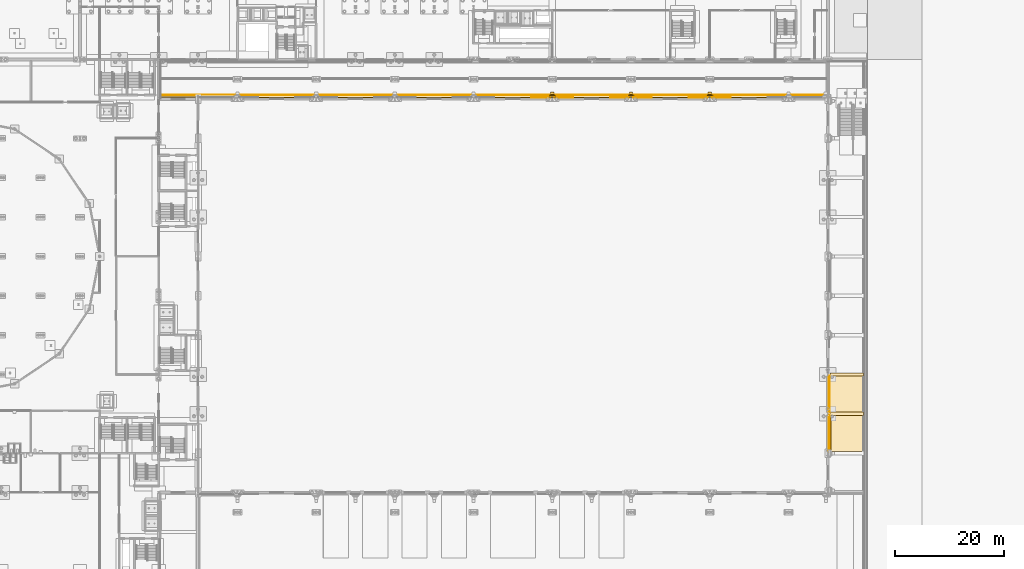
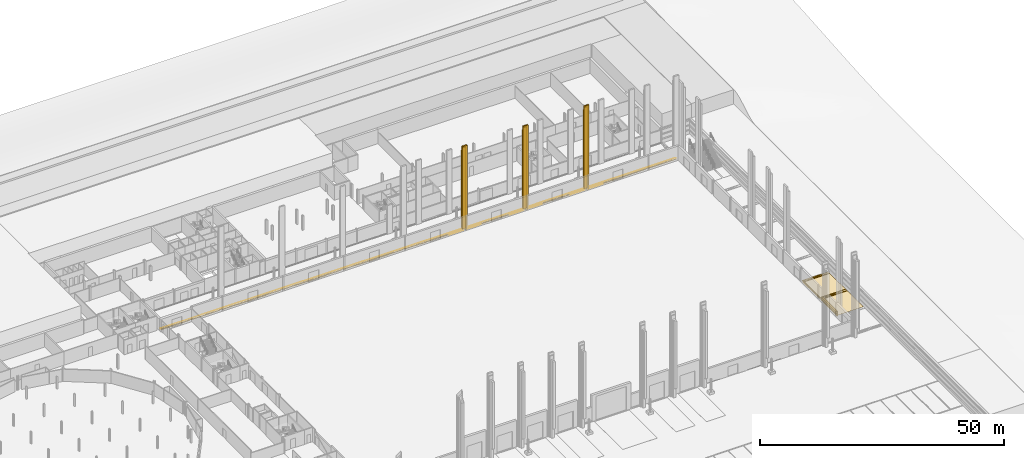
# One storey, part 135 of 148: 24 coverings.
"""IFC4 building model written with IfcOpenShell, lengths in metres."""

from ifc_helpers import new_model, si_unit, direction, frame, origin, origin_2d, place, context, subcontext, project, spatial, polyline, rectangle, outline, extrude, material, layer, layer_set, type_object, element, save


model = new_model("IFC4")

# Units and contexts
model_context = context("Model", 3, precision=1e-05, world=origin(), true_north=direction((0.0, 1.0)))
body_context = subcontext(model_context, "Body", "Model", "MODEL_VIEW")
ifc_project = project(units=[si_unit("LENGTHUNIT", "METRE"), si_unit("AREAUNIT", "SQUARE_METRE"), si_unit("VOLUMEUNIT", "CUBIC_METRE"), si_unit("PLANEANGLEUNIT", "RADIAN"), si_unit("MASSUNIT", "GRAM", prefix="KILO")], contexts=[model_context])

# Site, building, storey
site_placement = place(None, origin())
site = spatial("IfcSite", under=ifc_project, at=site_placement, CompositionType="ELEMENT")
building_placement = place(site_placement, origin())
building = spatial("IfcBuilding", under=site, at=building_placement, Name="Kupolbacken Congress Centre", CompositionType="ELEMENT")
storey_placement = place(building_placement, origin())
storey = spatial("IfcBuildingStorey", under=building, at=storey_placement, Name="L00", CompositionType="ELEMENT", Elevation=0.0)

# Coverings
ifc_material_1 = material(Name="Brick cladding", Category="masonry")
ifc_layer_1 = layer(ifc_material_1, 0.10791015625)
ifc_layer_set_1 = layer_set([ifc_layer_1], Name="Brick cladding")
covering_type_1 = type_object("IfcCoveringType", Name="CV2 brick cladding band 108", PredefinedType="CLADDING", material=ifc_layer_set_1)
covering_1_placement = place(storey_placement, frame((201.864013671875, 53.949951171875, 0.0), z_axis=(0.0, 0.0, 1.0), x_axis=(0.0, 1.0, 0.0)))
element("IfcCovering", 1, at=covering_1_placement, inside=storey, type_object=covering_type_1, Name="E/H/E/L00/050/band", PredefinedType="CLADDING", context=body_context, shape_type="SweptSolid", body=[
    extrude(rectangle(XDim=6.81005859375, YDim=0.10791015625, at=origin_2d()), origin(), (0.0, 0.0, 1.0), 0.300048828125),
])
covering_2_placement = place(storey_placement, frame((201.864013671875, 61.199951171875, 0.0), z_axis=(0.0, 0.0, 1.0), x_axis=(0.0, 1.0, 0.0)))
element("IfcCovering", 2, at=covering_2_placement, inside=storey, type_object=covering_type_1, Name="E/H/E/L00/051/band", PredefinedType="CLADDING", context=body_context, shape_type="SweptSolid", body=[
    extrude(rectangle(XDim=6.7099609375, YDim=0.10791015625, at=origin_2d()), origin(), (0.0, 0.0, 1.0), 0.300048828125),
])
ifc_material_2 = material(Name="Limestone cladding", Category="masonry")
ifc_layer_2 = layer(ifc_material_2, 0.35009765625)
ifc_layer_set_2 = layer_set([ifc_layer_2], Name="Limestone cladding")
covering_type_2 = type_object("IfcCoveringType", Name="CV3 limestone pilaster strip 350", PredefinedType="CLADDING", material=ifc_layer_set_2)
for number, where, z_axis, x_axis, name in (
    (3, (151.199951171875, 115.590087890625, 0.0), (0.0, 0.0, 1.0), (1.0, 0.0, 0.0), "F/H/N/pil/09/0"),
    (4, (165.60009765625, 115.590087890625, 0.0), (0.0, 0.0, 1.0), (1.0, 0.0, 0.0), "F/H/N/pil/11/0"),
    (5, (180.0, 115.590087890625, 0.0), (0.0, 0.0, 1.0), (1.0, 0.0, 0.0), "F/H/N/pil/13/0"),
):
    element("IfcCovering", number, at=place(storey_placement, frame(where, z_axis=z_axis, x_axis=x_axis)), inside=storey, type_object=covering_type_2, Name=name, PredefinedType="CLADDING", context=body_context, shape_type="SweptSolid", body=[
        extrude(rectangle(XDim=1.199951171875, YDim=0.340087890625, at=origin_2d()), origin(), (0.0, 0.0, 1.0), 20.93505859375),
    ])
covering_3_placement = place(storey_placement, frame((201.985107421875, 54.0, 0.0), z_axis=(0.0, 0.0, 1.0), x_axis=(0.0, 1.0, 0.0)))
element("IfcCovering", 6, at=covering_3_placement, inside=storey, type_object=covering_type_2, Name="F/HR/H/E/plinth/01", PredefinedType="CLADDING", context=body_context, shape_type="SweptSolid", body=[
    extrude(rectangle(XDim=6.0, YDim=0.35009765625, at=origin_2d()), origin(), (0.0, 0.0, 1.0), 0.800048828125),
])
ifc_material_3 = material(Name="Limestone cladding", Category="masonry")
ifc_layer_3 = layer(ifc_material_3, 0.5)
ifc_layer_set_3 = layer_set([ifc_layer_3], Name="Limestone cladding")
covering_type_3 = type_object("IfcCoveringType", Name="CV8 limestone drum pier 500", PredefinedType="CLADDING", material=ifc_layer_set_3)
for number, where, z_axis, x_axis, name in (
    (7, (151.199951171875, 116.2099609375, 0.0), (0.0, 0.0, 1.0), (1.0, 0.0, 0.0), "F/HR/H/N/butt/09-0/0"),
    (8, (165.60009765625, 116.2099609375, 0.0), (0.0, 0.0, 1.0), (1.0, 0.0, 0.0), "F/HR/H/N/butt/11-0/0"),
    (9, (180.0, 116.2099609375, 0.0), (0.0, 0.0, 1.0), (1.0, 0.0, 0.0), "F/HR/H/N/butt/13-0/0"),
):
    element("IfcCovering", number, at=place(storey_placement, frame(where, z_axis=z_axis, x_axis=x_axis)), inside=storey, type_object=covering_type_3, Name=name, PredefinedType="CLADDING", context=body_context, shape_type="SweptSolid", body=[
        extrude(rectangle(XDim=0.60009765625, YDim=0.5, at=origin_2d()), origin(), (0.0, 0.0, 1.0), 19.385009765625),
    ])
ifc_material_4 = material(Name="Limestone cladding", Category="masonry")
ifc_layer_4 = layer(ifc_material_4, 0.199951171875)
ifc_layer_set_4 = layer_set([ifc_layer_4], Name="Limestone cladding")
covering_type_4 = type_object("IfcCoveringType", Name="CV9 limestone drum arch frame 200", PredefinedType="CLADDING", material=ifc_layer_set_4)
for number, where, z_axis, x_axis, name in (
    (10, (151.199951171875, 115.860107421875, 0.0), (0.0, 0.0, 1.0), (1.0, 0.0, 0.0), "F/HR/H/N/rib/09-0/0"),
    (11, (165.60009765625, 115.860107421875, 0.0), (0.0, 0.0, 1.0), (1.0, 0.0, 0.0), "F/HR/H/N/rib/11-0/0"),
    (12, (180.0, 115.860107421875, 0.0), (0.0, 0.0, 1.0), (1.0, 0.0, 0.0), "F/HR/H/N/rib/13-0/0"),
):
    element("IfcCovering", number, at=place(storey_placement, frame(where, z_axis=z_axis, x_axis=x_axis)), inside=storey, type_object=covering_type_4, Name=name, PredefinedType="CLADDING", context=body_context, shape_type="SweptSolid", body=[
        extrude(rectangle(XDim=0.89990234375, YDim=0.199951171875, at=origin_2d()), origin(), (0.0, 0.0, 1.0), 20.3349609375),
    ])
ifc_material_5 = material(Name="Limestone cladding", Category="masonry")
ifc_layer_5 = layer(ifc_material_5, 0.02001953125)
ifc_layer_set_5 = layer_set([ifc_layer_5], Name="Limestone cladding")
covering_type_5 = type_object("IfcCoveringType", Name="GF1 limestone paving 20", PredefinedType="FLOORING", material=ifc_layer_set_5)
covering_4_placement = place(storey_placement, origin())
element("IfcCovering", 13, at=covering_4_placement, inside=storey, type_object=covering_type_5, Name="Bay and lane marking", PredefinedType="FLOORING", context=body_context, shape_type="SweptSolid", body=[
    extrude(outline(polyline([(79.5419921875, 115.989990234375), (201.299560546875, 115.989990234375), (201.299560546875, 115.840087890625), (79.5419921875, 115.840087890625), (79.5419921875, 115.989990234375)])), origin(), (0.0, 0.0, 1.0), 0.02001953125),
])
covering_5_placement = place(storey_placement, origin())
element("IfcCovering", 14, at=covering_5_placement, inside=storey, type_object=covering_type_5, Name="East paving band", PredefinedType="FLOORING", context=body_context, shape_type="SweptSolid", body=[
    extrude(outline(polyline([(201.974365234375, 57.300048828125), (201.9990234375, 57.333251953125), (202.0234375, 57.373779296875), (202.04345703125, 57.416259765625), (202.059326171875, 57.460693359375), (202.07080078125, 57.50634765625), (202.07763671875, 57.552978515625), (202.080078125, 57.60009765625), (202.07763671875, 57.647216796875), (202.07080078125, 57.693603515625), (202.059326171875, 57.7392578125), (202.04345703125, 57.78369140625), (202.0234375, 57.826416015625), (201.9990234375, 57.86669921875), (201.974365234375, 57.89990234375), (208.110107421875, 57.89990234375), (208.110107421875, 57.300048828125), (201.974365234375, 57.300048828125)])), origin(), (0.0, 0.0, 1.0), 0.02001953125),
])
covering_6_placement = place(storey_placement, origin())
element("IfcCovering", 15, at=covering_6_placement, inside=storey, type_object=covering_type_5, Name="East paving band", PredefinedType="FLOORING", context=body_context, shape_type="SweptSolid", body=[
    extrude(outline(polyline([(201.974365234375, 64.5), (201.9990234375, 64.533203125), (202.0234375, 64.57373046875), (202.04345703125, 64.6162109375), (202.059326171875, 64.66064453125), (202.07080078125, 64.706298828125), (202.07763671875, 64.7529296875), (202.080078125, 64.800048828125), (202.07763671875, 64.84716796875), (202.07080078125, 64.893798828125), (202.059326171875, 64.939208984375), (202.04345703125, 64.983642578125), (202.0234375, 65.0263671875), (201.9990234375, 65.066650390625), (201.974365234375, 65.10009765625), (208.110107421875, 65.10009765625), (208.110107421875, 64.5), (201.974365234375, 64.5)])), origin(), (0.0, 0.0, 1.0), 0.02001953125),
])
ifc_material_6 = material(Name="Brick", Category="masonry")
ifc_layer_6 = layer(ifc_material_6, 0.02001953125)
ifc_layer_set_6 = layer_set([ifc_layer_6], Name="Brick")
covering_type_6 = type_object("IfcCoveringType", Name="GF2 brick paving 20", PredefinedType="FLOORING", material=ifc_layer_set_6)
covering_7_placement = place(storey_placement, origin())
element("IfcCovering", 16, at=covering_7_placement, inside=storey, type_object=covering_type_6, Name="East strip brick paving", PredefinedType="FLOORING", context=body_context, shape_type="SweptSolid", body=[
    extrude(outline(polyline([(208.110107421875, 57.89990234375), (201.974365234375, 57.89990234375), (201.97119140625, 57.904541015625), (201.939453125, 57.939453125), (201.919921875, 57.95703125), (201.919921875, 64.44287109375), (201.939453125, 64.460693359375), (201.97119140625, 64.49560546875), (201.974365234375, 64.5), (208.110107421875, 64.5), (208.110107421875, 57.89990234375)])), origin(), (0.0, 0.0, 1.0), 0.02001953125),
])
covering_8_placement = place(storey_placement, origin())
element("IfcCovering", 17, at=covering_8_placement, inside=storey, type_object=covering_type_6, Name="East strip brick paving", PredefinedType="FLOORING", context=body_context, shape_type="SweptSolid", body=[
    extrude(outline(polyline([(208.110107421875, 50.699951171875), (201.974365234375, 50.699951171875), (201.97119140625, 50.70458984375), (201.939453125, 50.739501953125), (201.919921875, 50.757080078125), (201.919921875, 57.242919921875), (201.939453125, 57.260498046875), (201.97119140625, 57.29541015625), (201.974365234375, 57.300048828125), (208.110107421875, 57.300048828125), (208.110107421875, 50.699951171875)])), origin(), (0.0, 0.0, 1.0), 0.02001953125),
])
ifc_material_7 = material(Name="Asphalt", Category="masonry")
ifc_layer_7 = layer(ifc_material_7, 0.02001953125)
ifc_layer_set_7 = layer_set([ifc_layer_7], Name="Asphalt")
covering_type_7 = type_object("IfcCoveringType", Name="GF3 asphalt dock hardstanding 20", PredefinedType="FLOORING", material=ifc_layer_set_7)
covering_9_placement = place(storey_placement, origin())
element("IfcCovering", 18, at=covering_9_placement, inside=storey, type_object=covering_type_7, Name="Service lane asphalt", PredefinedType="FLOORING", context=body_context, shape_type="SweptSolid", body=[
    extrude(outline(polyline([(201.299560546875, 115.57421875), (201.333251953125, 115.59912109375), (201.29541015625, 115.571044921875), (201.260498046875, 115.539306640625), (201.242919921875, 115.52001953125), (194.757080078125, 115.52001953125), (194.739501953125, 115.539306640625), (194.70458984375, 115.571044921875), (194.666748046875, 115.59912109375), (194.626220703125, 115.623291015625), (194.583740234375, 115.6435546875), (194.539306640625, 115.659423828125), (194.49365234375, 115.6708984375), (194.447021484375, 115.677734375), (194.39990234375, 115.679931640625), (194.352783203125, 115.677734375), (194.306396484375, 115.6708984375), (194.2607421875, 115.659423828125), (194.21630859375, 115.6435546875), (194.173583984375, 115.623291015625), (194.13330078125, 115.59912109375), (194.095458984375, 115.571044921875), (194.060546875, 115.539306640625), (194.02587890625, 115.50048828125), (190.585205078125, 115.50048828125), (190.588134765625, 115.43994140625), (183.811767578125, 115.43994140625), (183.814697265625, 115.50048828125), (180.3740234375, 115.50048828125), (180.33935546875, 115.539306640625), (180.304443359375, 115.571044921875), (180.2666015625, 115.59912109375), (180.226318359375, 115.623291015625), (180.18359375, 115.6435546875), (180.139404296875, 115.659423828125), (180.09375, 115.6708984375), (180.047119140625, 115.677734375), (180.0, 115.679931640625), (179.952880859375, 115.677734375), (179.90625, 115.6708984375), (179.860595703125, 115.659423828125), (179.81640625, 115.6435546875), (179.773681640625, 115.623291015625), (179.7333984375, 115.59912109375), (179.695556640625, 115.571044921875), (179.66064453125, 115.539306640625), (179.6259765625, 115.50048828125), (176.185302734375, 115.50048828125), (176.188232421875, 115.43994140625), (169.411865234375, 115.43994140625), (169.414794921875, 115.50048828125), (165.97412109375, 115.50048828125), (165.939453125, 115.539306640625), (165.904541015625, 115.571044921875), (165.86669921875, 115.59912109375), (165.826416015625, 115.623291015625), (165.78369140625, 115.6435546875), (165.7392578125, 115.659423828125), (165.693603515625, 115.6708984375), (165.647216796875, 115.677734375), (165.60009765625, 115.679931640625), (165.552978515625, 115.677734375), (165.50634765625, 115.6708984375), (165.460693359375, 115.659423828125), (165.416259765625, 115.6435546875), (165.373779296875, 115.623291015625), (165.333251953125, 115.59912109375), (165.29541015625, 115.571044921875), (165.260498046875, 115.539306640625), (165.225830078125, 115.50048828125), (161.78515625, 115.50048828125), (161.7880859375, 115.43994140625), (155.01171875, 115.43994140625), (155.014892578125, 115.50048828125), (151.57421875, 115.50048828125), (151.539306640625, 115.539306640625), (151.50439453125, 115.571044921875), (151.466796875, 115.59912109375), (151.42626953125, 115.623291015625), (151.3837890625, 115.6435546875), (151.33935546875, 115.659423828125), (151.293701171875, 115.6708984375), (151.2470703125, 115.677734375), (151.199951171875, 115.679931640625), (151.15283203125, 115.677734375), (151.106201171875, 115.6708984375), (151.060791015625, 115.659423828125), (151.016357421875, 115.6435546875), (150.9736328125, 115.623291015625), (150.933349609375, 115.59912109375), (150.8955078125, 115.571044921875), (150.860595703125, 115.539306640625), (150.825927734375, 115.50048828125), (147.38525390625, 115.50048828125), (147.38818359375, 115.43994140625), (140.61181640625, 115.43994140625), (140.61474609375, 115.50048828125), (137.174072265625, 115.50048828125), (137.139404296875, 115.539306640625), (137.1044921875, 115.571044921875), (137.066650390625, 115.59912109375), (137.0263671875, 115.623291015625), (136.983642578125, 115.6435546875), (136.939208984375, 115.659423828125), (136.893798828125, 115.6708984375), (136.84716796875, 115.677734375), (136.800048828125, 115.679931640625), (136.7529296875, 115.677734375), (136.706298828125, 115.6708984375), (136.66064453125, 115.659423828125), (136.6162109375, 115.6435546875), (136.57373046875, 115.623291015625), (136.533203125, 115.59912109375), (136.49560546875, 115.571044921875), (136.460693359375, 115.539306640625), (136.42578125, 115.50048828125), (132.985107421875, 115.50048828125), (132.98828125, 115.43994140625), (126.2119140625, 115.43994140625), (126.21484375, 115.50048828125), (122.774169921875, 115.50048828125), (122.739501953125, 115.539306640625), (122.70458984375, 115.571044921875), (122.666748046875, 115.59912109375), (122.626220703125, 115.623291015625), (122.583740234375, 115.6435546875), (122.539306640625, 115.659423828125), (122.49365234375, 115.6708984375), (122.447021484375, 115.677734375), (122.39990234375, 115.679931640625), (122.352783203125, 115.677734375), (122.306396484375, 115.6708984375), (122.2607421875, 115.659423828125), (122.21630859375, 115.6435546875), (122.173583984375, 115.623291015625), (122.13330078125, 115.59912109375), (122.095458984375, 115.571044921875), (122.060546875, 115.539306640625), (122.02587890625, 115.50048828125), (118.585205078125, 115.50048828125), (118.588134765625, 115.43994140625), (111.811767578125, 115.43994140625), (111.814697265625, 115.50048828125), (108.3740234375, 115.50048828125), (108.33935546875, 115.539306640625), (108.304443359375, 115.571044921875), (108.2666015625, 115.59912109375), (108.226318359375, 115.623291015625), (108.18359375, 115.6435546875), (108.139404296875, 115.659423828125), (108.09375, 115.6708984375), (108.047119140625, 115.677734375), (108.0, 115.679931640625), (107.952880859375, 115.677734375), (107.90625, 115.6708984375), (107.860595703125, 115.659423828125), (107.81640625, 115.6435546875), (107.773681640625, 115.623291015625), (107.7333984375, 115.59912109375), (107.695556640625, 115.571044921875), (107.66064453125, 115.539306640625), (107.6259765625, 115.50048828125), (104.185302734375, 115.50048828125), (104.188232421875, 115.43994140625), (97.411865234375, 115.43994140625), (97.414794921875, 115.50048828125), (93.97412109375, 115.50048828125), (93.939453125, 115.539306640625), (93.904541015625, 115.571044921875), (93.86669921875, 115.59912109375), (93.826416015625, 115.623291015625), (93.78369140625, 115.6435546875), (93.7392578125, 115.659423828125), (93.693603515625, 115.6708984375), (93.647216796875, 115.677734375), (93.60009765625, 115.679931640625), (93.552978515625, 115.677734375), (93.50634765625, 115.6708984375), (93.460693359375, 115.659423828125), (93.416259765625, 115.6435546875), (93.373779296875, 115.623291015625), (93.333251953125, 115.59912109375), (93.29541015625, 115.571044921875), (93.260498046875, 115.539306640625), (93.242919921875, 115.52001953125), (86.757080078125, 115.52001953125), (86.739501953125, 115.539306640625), (86.70458984375, 115.571044921875), (86.666748046875, 115.59912109375), (86.626220703125, 115.623291015625), (86.583740234375, 115.6435546875), (86.539306640625, 115.659423828125), (86.49365234375, 115.6708984375), (86.447021484375, 115.677734375), (86.39990234375, 115.679931640625), (86.352783203125, 115.677734375), (86.306396484375, 115.6708984375), (86.2607421875, 115.659423828125), (86.21630859375, 115.6435546875), (86.173583984375, 115.623291015625), (86.13330078125, 115.59912109375), (86.095458984375, 115.571044921875), (86.060546875, 115.539306640625), (86.033935546875, 115.510009765625), (79.5419921875, 115.510009765625), (79.5419921875, 115.840087890625), (201.299560546875, 115.840087890625), (201.299560546875, 115.57421875)])), origin(), (0.0, 0.0, 1.0), 0.02001953125),
])
ifc_material_8 = material(Name="Granite setts", Category="masonry")
ifc_layer_8 = layer(ifc_material_8, 0.10009765625)
ifc_layer_set_8 = layer_set([ifc_layer_8], Name="Granite setts")
covering_type_8 = type_object("IfcCoveringType", Name="GR3 granite sett paving 100", PredefinedType="FLOORING", material=ifc_layer_set_8)
covering_10_placement = place(storey_placement, origin())
element("IfcCovering", 19, at=covering_10_placement, inside=storey, type_object=covering_type_8, Name="Granite kerb edging", PredefinedType="FLOORING", context=body_context, shape_type="SweptSolid", body=[
    extrude(outline(polyline([(150.784912109375, 115.43994140625), (147.38818359375, 115.43994140625), (147.38525390625, 115.50048828125), (150.825927734375, 115.50048828125), (150.80078125, 115.466796875), (150.784912109375, 115.43994140625)])), origin(), (0.0, 0.0, 1.0), 0.10009765625),
])
covering_11_placement = place(storey_placement, origin())
element("IfcCovering", 20, at=covering_11_placement, inside=storey, type_object=covering_type_8, Name="Granite kerb edging", PredefinedType="FLOORING", context=body_context, shape_type="SweptSolid", body=[
    extrude(outline(polyline([(151.59912109375, 115.466796875), (151.57421875, 115.50048828125), (155.014892578125, 115.50048828125), (155.01171875, 115.43994140625), (151.614990234375, 115.43994140625), (151.59912109375, 115.466796875)])), origin(), (0.0, 0.0, 1.0), 0.10009765625),
])
covering_12_placement = place(storey_placement, origin())
element("IfcCovering", 21, at=covering_12_placement, inside=storey, type_object=covering_type_8, Name="Granite kerb edging", PredefinedType="FLOORING", context=body_context, shape_type="SweptSolid", body=[
    extrude(outline(polyline([(161.7880859375, 115.43994140625), (161.78515625, 115.50048828125), (165.225830078125, 115.50048828125), (165.200927734375, 115.466796875), (165.184814453125, 115.43994140625), (161.7880859375, 115.43994140625)])), origin(), (0.0, 0.0, 1.0), 0.10009765625),
])
covering_13_placement = place(storey_placement, origin())
element("IfcCovering", 22, at=covering_13_placement, inside=storey, type_object=covering_type_8, Name="Granite kerb edging", PredefinedType="FLOORING", context=body_context, shape_type="SweptSolid", body=[
    extrude(outline(polyline([(166.01513671875, 115.43994140625), (165.9990234375, 115.466796875), (165.97412109375, 115.50048828125), (169.414794921875, 115.50048828125), (169.411865234375, 115.43994140625), (166.01513671875, 115.43994140625)])), origin(), (0.0, 0.0, 1.0), 0.10009765625),
])
covering_14_placement = place(storey_placement, origin())
element("IfcCovering", 23, at=covering_14_placement, inside=storey, type_object=covering_type_8, Name="Granite kerb edging", PredefinedType="FLOORING", context=body_context, shape_type="SweptSolid", body=[
    extrude(outline(polyline([(176.188232421875, 115.43994140625), (176.185302734375, 115.50048828125), (179.6259765625, 115.50048828125), (179.600830078125, 115.466796875), (179.5849609375, 115.43994140625), (176.188232421875, 115.43994140625)])), origin(), (0.0, 0.0, 1.0), 0.10009765625),
])
covering_15_placement = place(storey_placement, origin())
element("IfcCovering", 24, at=covering_15_placement, inside=storey, type_object=covering_type_8, Name="Granite kerb edging", PredefinedType="FLOORING", context=body_context, shape_type="SweptSolid", body=[
    extrude(outline(polyline([(180.399169921875, 115.466796875), (180.3740234375, 115.50048828125), (183.814697265625, 115.50048828125), (183.811767578125, 115.43994140625), (180.4150390625, 115.43994140625), (180.399169921875, 115.466796875)])), origin(), (0.0, 0.0, 1.0), 0.10009765625),
])

save(model, "model.ifc")
